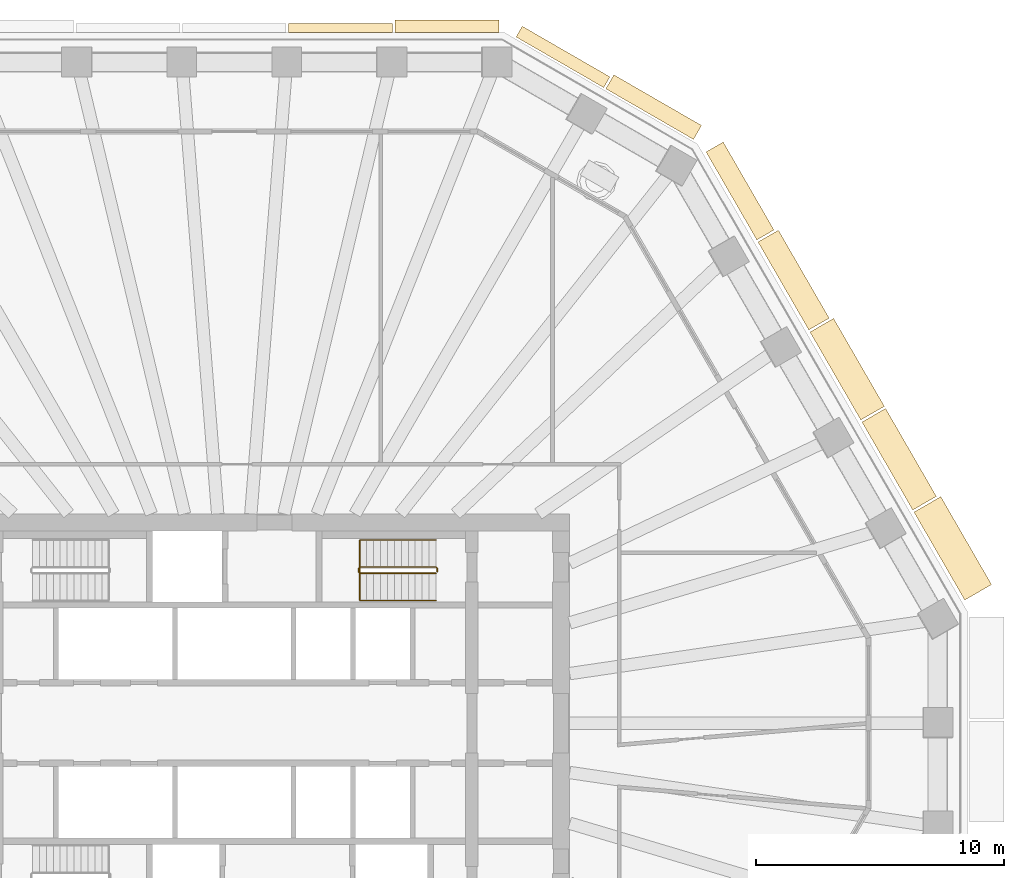
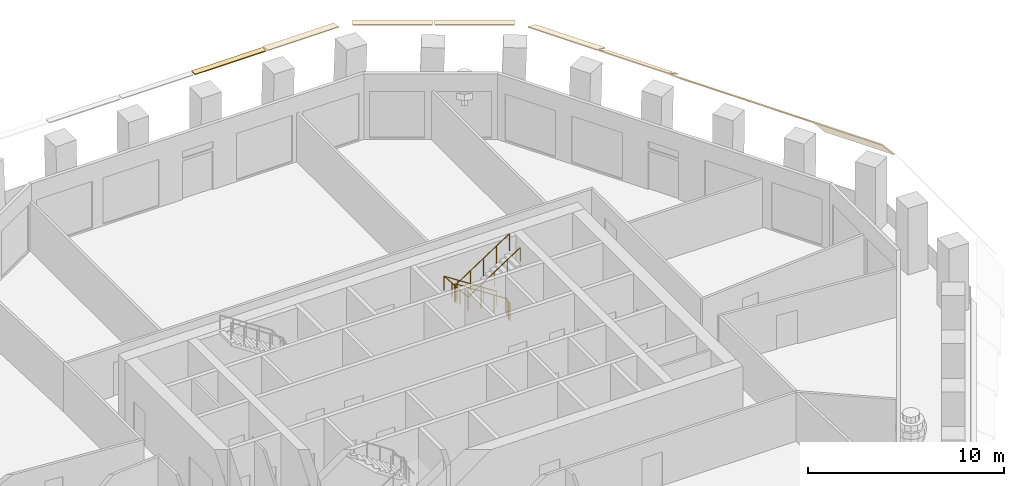
# One storey, part 10 of 12: 9 coverings, 2 railings.
"""IFC4 building model written with IfcOpenShell, lengths in metres."""

from ifc_helpers import new_model, si_unit, direction, frame, origin, origin_2d, place, context, subcontext, project, spatial, polyline, circle, outline, extrude, material, layer, layer_set, type_object, element, save


model = new_model("IFC4")

# Units and contexts
model_context = context("Model", 3, precision=1e-05, world=origin(), true_north=direction((0.0, 1.0)))
body_context = subcontext(model_context, "Body", "Model", "MODEL_VIEW")
ifc_project = project(units=[si_unit("LENGTHUNIT", "METRE"), si_unit("AREAUNIT", "SQUARE_METRE"), si_unit("VOLUMEUNIT", "CUBIC_METRE"), si_unit("PLANEANGLEUNIT", "RADIAN"), si_unit("MASSUNIT", "GRAM", prefix="KILO")], contexts=[model_context])

# Site, building, storey
site_placement = place(None, origin())
site = spatial("IfcSite", under=ifc_project, at=site_placement, CompositionType="ELEMENT")
building_placement = place(site_placement, origin())
building = spatial("IfcBuilding", under=site, at=building_placement, Name="Frailejon Research Tower", CompositionType="ELEMENT")
storey_placement = place(building_placement, frame((0.0, 0.0, 145.199951171875)))
storey = spatial("IfcBuildingStorey", under=building, at=storey_placement, Name="L31", CompositionType="ELEMENT", Elevation=145.199951171875)

# Coverings
ifc_material_1 = material(Name="Precast concrete C50/60", Category="concrete")
ifc_layer_1 = layer(ifc_material_1, 0.06005859375)
ifc_layer_set_1 = layer_set([ifc_layer_1], Name="Brim blade depth 1100")
covering_type_1 = type_object("IfcCoveringType", Name="Brim blade depth 1100", PredefinedType="CLADDING", material=ifc_layer_set_1)
for number, where, z_axis, x_axis, name in (
    (1, (25.356689453125, 12.1572265625, 4.25), (0.500000690179, -0.866025005309, 0.0), (0.866025005309, 0.500000690179, 0.0), "Brim blade L31"),
    (2, (23.2568359375, 15.79443359375, 4.25), (0.500000690179, -0.866025005309, 0.0), (0.866025005309, 0.500000690179, 0.0), "Brim blade L31"),
):
    element("IfcCovering", number, at=place(storey_placement, frame(where, z_axis=z_axis, x_axis=x_axis)), inside=storey, type_object=covering_type_1, Name=name, PredefinedType="CLADDING", context=body_context, shape_type="SweptSolid", body=[
        extrude(outline(polyline([(0.0, -0.078369140625), (1.10009765625, -1.001220703125), (1.10009765625, -0.923095703125), (0.0, 0.0), (0.0, -0.078369140625)])), origin(), (0.0, 0.0, 1.0), 4.10009765625),
    ])
ifc_material_2 = material(Name="Precast concrete C50/60", Category="concrete")
ifc_layer_2 = layer(ifc_material_2, 0.06005859375)
ifc_layer_set_2 = layer_set([ifc_layer_2], Name="Brim blade depth 1250")
covering_type_2 = type_object("IfcCoveringType", Name="Brim blade depth 1250", PredefinedType="CLADDING", material=ifc_layer_set_2)
covering_1_placement = place(storey_placement, frame((27.456787109375, 8.52001953125, 4.25), z_axis=(0.499990381106, -0.866030957184, 0.0), x_axis=(0.866030957184, 0.499990381106, 0.0)))
element("IfcCovering", 3, at=covering_1_placement, inside=storey, type_object=covering_type_2, Name="Brim blade L31", PredefinedType="CLADDING", context=body_context, shape_type="SweptSolid", body=[
    extrude(outline(polyline([(0.0, -0.0888671875), (1.25, -1.452880859375), (1.25, -1.364013671875), (0.0, 0.0), (0.0, -0.0888671875)])), origin(), (0.0, 0.0, 1.0), 4.10009765625),
])
ifc_material_3 = material(Name="Precast concrete C50/60", Category="concrete")
ifc_layer_3 = layer(ifc_material_3, 0.06005859375)
ifc_layer_set_3 = layer_set([ifc_layer_3], Name="Brim blade depth 350")
covering_type_3 = type_object("IfcCoveringType", Name="Brim blade depth 350", PredefinedType="CLADDING", material=ifc_layer_set_3)
covering_2_placement = place(storey_placement, frame((2.197998046875, 27.89990234375, 4.25), z_axis=(1.0, 0.0, 0.0), x_axis=(0.0, 1.0, 0.0)))
element("IfcCovering", 4, at=covering_2_placement, inside=storey, type_object=covering_type_3, Name="Brim blade L31", PredefinedType="CLADDING", context=body_context, shape_type="SweptSolid", body=[
    extrude(outline(polyline([(0.0, -0.06005859375), (0.35009765625, -0.06005859375), (0.35009765625, 0.0), (0.0, 0.0), (0.0, -0.06005859375)])), origin(), (0.0, 0.0, 1.0), 4.19580078125),
])
ifc_material_4 = material(Name="Precast concrete C50/60", Category="concrete")
ifc_layer_4 = layer(ifc_material_4, 0.06005859375)
ifc_layer_set_4 = layer_set([ifc_layer_4], Name="Brim blade depth 500")
covering_type_4 = type_object("IfcCoveringType", Name="Brim blade depth 500", PredefinedType="CLADDING", material=ifc_layer_set_4)
covering_3_placement = place(storey_placement, frame((11.3828125, 27.714111328125, 4.25), z_axis=(0.866027315287, -0.499996689166, 0.0), x_axis=(0.499996689166, 0.866027315287, 0.0)))
element("IfcCovering", 5, at=covering_3_placement, inside=storey, type_object=covering_type_4, Name="Brim blade L31", PredefinedType="CLADDING", context=body_context, shape_type="SweptSolid", body=[
    extrude(outline(polyline([(0.0, -0.060546875), (0.5, -0.130859375), (0.5, -0.0703125), (0.0, 0.0), (0.0, -0.060546875)])), origin(), (0.0, 0.0, 1.0), 4.087646484375),
])
covering_4_placement = place(storey_placement, frame((6.49365234375, 27.89990234375, 4.25), z_axis=(1.0, 0.0, 0.0), x_axis=(0.0, 1.0, 0.0)))
element("IfcCovering", 6, at=covering_4_placement, inside=storey, type_object=covering_type_4, Name="Brim blade L31", PredefinedType="CLADDING", context=body_context, shape_type="SweptSolid", body=[
    extrude(outline(polyline([(0.0, -0.060546875), (0.5, -0.130859375), (0.5, -0.0703125), (0.0, 0.0), (0.0, -0.060546875)])), origin(), (0.0, 0.0, 1.0), 4.19580078125),
])
ifc_material_5 = material(Name="Precast concrete C50/60", Category="concrete")
ifc_layer_5 = layer(ifc_material_5, 0.06005859375)
ifc_layer_set_5 = layer_set([ifc_layer_5], Name="Brim blade depth 650")
covering_type_5 = type_object("IfcCoveringType", Name="Brim blade depth 650", PredefinedType="CLADDING", material=ifc_layer_set_5)
covering_5_placement = place(storey_placement, frame((15.009521484375, 25.620361328125, 4.25), z_axis=(0.866021344981, -0.500007029989, 0.0), x_axis=(0.500007029989, 0.866021344981, 0.0)))
element("IfcCovering", 7, at=covering_5_placement, inside=storey, type_object=covering_type_5, Name="Brim blade L31", PredefinedType="CLADDING", context=body_context, shape_type="SweptSolid", body=[
    extrude(outline(polyline([(0.0, -0.0625), (0.64990234375, -0.248779296875), (0.64990234375, -0.186279296875), (0.0, 0.0), (0.0, -0.0625)])), origin(), (0.0, 0.0, 1.0), 4.08740234375),
])
ifc_material_6 = material(Name="Precast concrete C50/60", Category="concrete")
ifc_layer_6 = layer(ifc_material_6, 0.06005859375)
ifc_layer_set_6 = layer_set([ifc_layer_6], Name="Brim blade depth 800")
covering_type_6 = type_object("IfcCoveringType", Name="Brim blade depth 800", PredefinedType="CLADDING", material=ifc_layer_set_6)
covering_6_placement = place(storey_placement, frame((19.056884765625, 23.069091796875, 4.25), z_axis=(0.500000690179, -0.866025005309, 0.0), x_axis=(0.866025005309, 0.500000690179, 0.0)))
element("IfcCovering", 8, at=covering_6_placement, inside=storey, type_object=covering_type_6, Name="Brim blade L31", PredefinedType="CLADDING", context=body_context, shape_type="SweptSolid", body=[
    extrude(outline(polyline([(0.0, -0.065673828125), (0.800048828125, -0.421875), (0.800048828125, -0.356201171875), (0.0, 0.0), (0.0, -0.065673828125)])), origin(), (0.0, 0.0, 1.0), 4.10009765625),
])
ifc_material_7 = material(Name="Precast concrete C50/60", Category="concrete")
ifc_layer_7 = layer(ifc_material_7, 0.06005859375)
ifc_layer_set_7 = layer_set([ifc_layer_7], Name="Brim blade depth 950")
covering_type_7 = type_object("IfcCoveringType", Name="Brim blade depth 950", PredefinedType="CLADDING", material=ifc_layer_set_7)
covering_7_placement = place(storey_placement, frame((21.15673828125, 19.431884765625, 4.25), z_axis=(0.500000690179, -0.866025005309, 0.0), x_axis=(0.866025005309, 0.500000690179, 0.0)))
element("IfcCovering", 9, at=covering_7_placement, inside=storey, type_object=covering_type_7, Name="Brim blade L31", PredefinedType="CLADDING", context=body_context, shape_type="SweptSolid", body=[
    extrude(outline(polyline([(0.0, -0.07080078125), (0.949951171875, -0.664306640625), (0.949951171875, -0.593505859375), (0.0, 0.0), (0.0, -0.07080078125)])), origin(), (0.0, 0.0, 1.0), 4.10009765625),
])

# Railings
ifc_material_8 = material(Name="Stainless steel", Category="steel")
railing_type_1 = type_object("IfcRailingType", Name="Stair guard 1100", PredefinedType="GUARDRAIL", material=ifc_material_8)
railing_1_placement = place(storey_placement, frame((8.199951171875, 6.10009765625, 0.0)))
element("IfcRailing", 10, at=railing_1_placement, inside=storey, type_object=railing_type_1, Name="L31 ST3 stair guard 1", PredefinedType="GUARDRAIL", context=body_context, shape_type="SweptSolid", body=[
    extrude(circle(Radius=0.02392578125, at=origin_2d()), frame((0.0, 0.0, 1.076171875), z_axis=(0.0, 1.0, 0.0), x_axis=(-1.0, 0.0, 0.0)), (0.0, 0.0, 1.0), 0.14990234375),
    extrude(circle(Radius=0.02392578125, at=origin_2d()), frame((0.0, 0.14990234375, 1.076171875), z_axis=(-0.254653276557, 0.254653276557, 0.932900539971), x_axis=(-0.707106781187, -0.707106781187, 0.0)), (0.0, 0.0, 1.0), 0.196533203125),
    extrude(circle(Radius=0.02392578125, at=origin_2d()), frame((-0.050048828125, 0.199951171875, 1.25927734375), z_axis=(-0.836613101238, 0.0, 0.547794230379), x_axis=(0.0, -1.0, 0.0)), (0.0, 0.0, 1.0), 3.681396484375),
    extrude(circle(Radius=0.02392578125, at=origin_2d()), frame((-3.1298828125, 0.199951171875, 3.27587890625), z_axis=(-0.707106781187, -0.707106781187, 0.0), x_axis=(0.707106781187, -0.707106781187, 0.0)), (0.0, 0.0, 1.0), 0.07080078125),
    extrude(circle(Radius=0.02392578125, at=origin_2d()), frame((-3.179931640625, 0.14990234375, 3.27587890625), z_axis=(0.0, -1.0, 0.0), x_axis=(1.0, 0.0, 0.0)), (0.0, 0.0, 1.0), 0.14990234375),
    extrude(circle(Radius=0.02392578125, at=origin_2d()), frame((-3.179931640625, 0.0, 3.27587890625), z_axis=(0.254653276557, -0.254653276557, 0.932900539971), x_axis=(0.707106781187, 0.707106781187, 0.0)), (0.0, 0.0, 1.0), 0.196533203125),
    extrude(circle(Radius=0.02392578125, at=origin_2d()), frame((-3.1298828125, -0.050048828125, 3.45947265625), z_axis=(0.836582707638, 0.0, 0.547840645882), x_axis=(0.0, 1.0, 0.0)), (0.0, 0.0, 1.0), 3.681396484375),
    extrude(circle(Radius=0.02099609375, at=origin_2d()), origin(), (0.0, 0.0, 1.0), 1.052001953125),
    extrude(circle(Radius=0.02099609375, at=origin_2d()), frame((0.0, 0.14990234375, 0.0)), (0.0, 0.0, 1.0), 1.052001953125),
    extrude(circle(Radius=0.02099609375, at=origin_2d()), frame((-0.050048828125, 0.199951171875, 0.183349609375)), (0.0, 0.0, 1.0), 1.052001953125),
    extrude(circle(Radius=0.02099609375, at=origin_2d()), frame((-0.820068359375, 0.199951171875, 0.6875)), (0.0, 0.0, 1.0), 1.052001953125),
    extrude(circle(Radius=0.02099609375, at=origin_2d()), frame((-1.58984375, 0.199951171875, 1.191650390625)), (0.0, 0.0, 1.0), 1.052001953125),
    extrude(circle(Radius=0.02099609375, at=origin_2d()), frame((-2.35986328125, 0.199951171875, 1.69580078125)), (0.0, 0.0, 1.0), 1.052001953125),
    extrude(circle(Radius=0.02099609375, at=origin_2d()), frame((-3.1298828125, 0.199951171875, 2.199951171875)), (0.0, 0.0, 1.0), 1.052001953125),
    extrude(circle(Radius=0.02099609375, at=origin_2d()), frame((-3.179931640625, 0.14990234375, 2.199951171875)), (0.0, 0.0, 1.0), 1.052001953125),
    extrude(circle(Radius=0.02099609375, at=origin_2d()), frame((-3.179931640625, 0.0, 2.199951171875)), (0.0, 0.0, 1.0), 1.052001953125),
    extrude(circle(Radius=0.02099609375, at=origin_2d()), frame((-3.1298828125, -0.050048828125, 2.38330078125)), (0.0, 0.0, 1.0), 1.052001953125),
    extrude(circle(Radius=0.02099609375, at=origin_2d()), frame((-2.35986328125, -0.050048828125, 2.887451171875)), (0.0, 0.0, 1.0), 1.052001953125),
    extrude(circle(Radius=0.02099609375, at=origin_2d()), frame((-1.58984375, -0.050048828125, 3.3916015625)), (0.0, 0.0, 1.0), 1.052001953125),
    extrude(circle(Radius=0.02099609375, at=origin_2d()), frame((-0.820068359375, -0.050048828125, 3.89599609375)), (0.0, 0.0, 1.0), 1.052001953125),
    extrude(circle(Radius=0.02099609375, at=origin_2d()), frame((-0.050048828125, -0.050048828125, 4.400146484375)), (0.0, 0.0, 1.0), 1.052001953125),
])
ifc_material_9 = material(Name="Stainless steel", Category="steel")
railing_type_2 = type_object("IfcRailingType", Name="Stair handrail 900", PredefinedType="HANDRAIL", material=ifc_material_9)
railing_2_placement = place(storey_placement, frame((8.14990234375, 7.39990234375, 0.183349609375)))
element("IfcRailing", 11, at=railing_2_placement, inside=storey, type_object=railing_type_2, Name="L31 ST3 stair handrail 1", PredefinedType="HANDRAIL", context=body_context, shape_type="SweptSolid", body=[
    extrude(circle(Radius=0.02392578125, at=origin_2d()), frame((0.0, 0.0, 0.8759765625), z_axis=(-0.836613101238, 0.0, 0.547794230379), x_axis=(0.0, -1.0, 0.0)), (0.0, 0.0, 1.0), 3.681396484375),
    extrude(circle(Radius=0.02392578125, at=origin_2d()), frame((-3.079833984375, 0.0, 2.892578125), z_axis=(0.0, -0.99721134034, 0.074629368868), x_axis=(1.0, 0.0, 0.0)), (0.0, 0.0, 1.0), 2.456787109375),
    extrude(circle(Radius=0.02392578125, at=origin_2d()), frame((-3.079833984375, -2.449951171875, 3.07568359375), z_axis=(0.836582707638, 0.0, 0.547840645882), x_axis=(0.0, 1.0, 0.0)), (0.0, 0.0, 1.0), 3.681396484375),
    extrude(circle(Radius=0.02099609375, at=origin_2d()), origin(), (0.0, 0.0, 1.0), 0.851806640625),
    extrude(circle(Radius=0.02099609375, at=origin_2d()), frame((-0.77001953125, 0.0, 0.504150390625)), (0.0, 0.0, 1.0), 0.851806640625),
    extrude(circle(Radius=0.02099609375, at=origin_2d()), frame((-1.5400390625, 0.0, 1.00830078125)), (0.0, 0.0, 1.0), 0.851806640625),
    extrude(circle(Radius=0.02099609375, at=origin_2d()), frame((-2.309814453125, 0.0, 1.512451171875)), (0.0, 0.0, 1.0), 0.851806640625),
    extrude(circle(Radius=0.02099609375, at=origin_2d()), frame((-3.079833984375, 0.0, 2.0166015625)), (0.0, 0.0, 1.0), 0.851806640625),
    extrude(circle(Radius=0.02099609375, at=origin_2d()), frame((-3.079833984375, -0.816650390625, 2.07763671875)), (0.0, 0.0, 1.0), 0.851806640625),
    extrude(circle(Radius=0.02099609375, at=origin_2d()), frame((-3.079833984375, -1.63330078125, 2.138916015625)), (0.0, 0.0, 1.0), 0.851806640625),
    extrude(circle(Radius=0.02099609375, at=origin_2d()), frame((-3.079833984375, -2.449951171875, 2.199951171875)), (0.0, 0.0, 1.0), 0.851806640625),
    extrude(circle(Radius=0.02099609375, at=origin_2d()), frame((-2.309814453125, -2.449951171875, 2.7041015625)), (0.0, 0.0, 1.0), 0.851806640625),
    extrude(circle(Radius=0.02099609375, at=origin_2d()), frame((-1.5400390625, -2.449951171875, 3.20849609375)), (0.0, 0.0, 1.0), 0.851806640625),
    extrude(circle(Radius=0.02099609375, at=origin_2d()), frame((-0.77001953125, -2.449951171875, 3.712646484375)), (0.0, 0.0, 1.0), 0.851806640625),
    extrude(circle(Radius=0.02099609375, at=origin_2d()), frame((0.0, -2.449951171875, 4.216796875)), (0.0, 0.0, 1.0), 0.851806640625),
])

save(model, "model.ifc")
